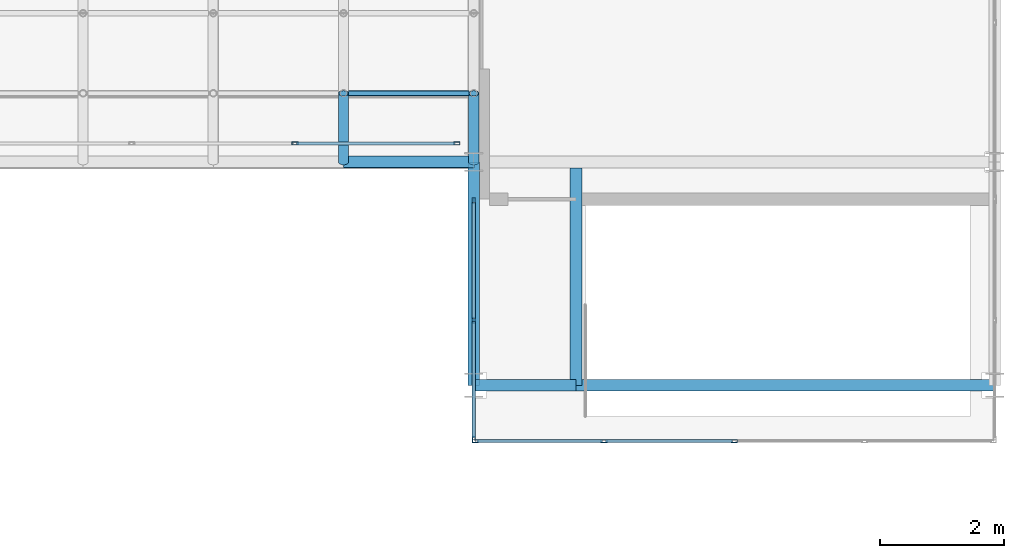
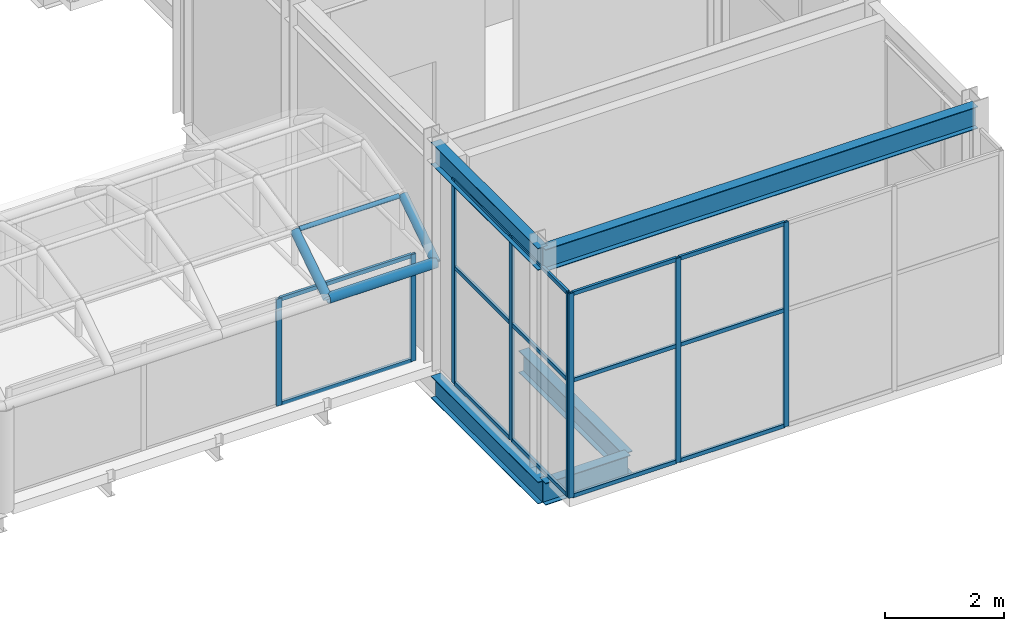
# One storey, part 43 of 167: 26 members, 5 beams, 3 elements without a shape of their own.
"""IFC4 building model written with IfcOpenShell, lengths in metres."""

import ifcopenshell
import ifcopenshell.guid

model = None  # the IFC model being written
_history = None  # IfcOwnerHistory: only IFC2X3 demands one
_inside = {}  # id of a spatial element -> (the spatial element, [elements in it])
_under = {}  # id of a project, library or spatial element -> (it, [spatial elements below it])
_declared = {}  # id of a project -> (the project, [libraries it declares])
_typed = {}  # id of a type object -> (the type object, [elements of that type])
_made_of = {}  # id of a material, layer set ... -> (it, [elements and type objects made of it])


def new_model(schema):
    """Start an empty IFC model of exactly this schema.

    Asked for "IFC4X3", IfcOpenShell would pick the latest addendum, in which some entities
    have other attributes; the version numbers below select the first issue.
    IFC2X3 requires an IfcOwnerHistory on every rooted entity: one is made here for all.
    """
    global model, _history
    if schema == "IFC4X3":
        model = ifcopenshell.file(schema_version=(4, 3, 0, 0))
    else:
        model = ifcopenshell.file(schema=schema)
    _inside.clear()
    _under.clear()
    _declared.clear()
    _typed.clear()
    _made_of.clear()
    _history = None
    if model.schema == "IFC2X3":
        org = make("IfcOrganization", Name="unknown")
        user = make(
            "IfcPersonAndOrganization",
            ThePerson=make("IfcPerson", FamilyName="unknown"),
            TheOrganization=org,
        )
        app = make(
            "IfcApplication",
            ApplicationDeveloper=org,
            Version="unknown",
            ApplicationFullName="unknown",
            ApplicationIdentifier="unknown",
        )
        _history = make(
            "IfcOwnerHistory",
            OwningUser=user,
            OwningApplication=app,
            ChangeAction="ADDED",
            CreationDate=0,
        )
    return model


def make(cls, **values):
    """One entity of the class cls with the attributes given. An attribute that is None is left unset."""
    return model.create_entity(
        cls, **{name: value for name, value in values.items() if value is not None}
    )


def rooted(cls, **values):
    """An entity with a GlobalId (a new one), such as an element, a storey or a relation."""
    return make(cls, GlobalId=ifcopenshell.guid.new(), OwnerHistory=_history, **values)


def si_unit(unit_type, name, prefix=None):
    """IfcSIUnit, for example si_unit("LENGTHUNIT", "METRE", prefix="MILLI")."""
    return make("IfcSIUnit", UnitType=unit_type, Prefix=prefix, Name=name)


def assignment(units):
    """IfcUnitAssignment: the units of a project."""
    return None if units is None else make("IfcUnitAssignment", Units=units)


def point(xyz):
    """IfcCartesianPoint."""
    return None if xyz is None else make("IfcCartesianPoint", Coordinates=xyz)


def direction(xyz):
    """IfcDirection."""
    return None if xyz is None else make("IfcDirection", DirectionRatios=xyz)


def frame(location, z_axis=None, x_axis=None):
    """IfcAxis2Placement3D, a coordinate frame: its origin and axes. An axis left out is left unset."""
    return make(
        "IfcAxis2Placement3D",
        Location=point(location),
        Axis=direction(z_axis),
        RefDirection=direction(x_axis),
    )


def frame_2d(location, x_axis=None):
    """IfcAxis2Placement2D, a coordinate frame in the plane: its origin and x axis."""
    return make(
        "IfcAxis2Placement2D", Location=point(location), RefDirection=direction(x_axis)
    )


def origin():
    """The frame at (0, 0, 0) with its axes left unset."""
    return frame((0.0, 0.0, 0.0))


def origin_2d():
    """The frame at (0, 0) in the plane with its x axis left unset."""
    return frame_2d((0.0, 0.0))


def place(relative_to, where):
    """IfcLocalPlacement: puts the frame where relative to a parent placement (None: the world)."""
    return make(
        "IfcLocalPlacement", PlacementRelTo=relative_to, RelativePlacement=where
    )


def context(
    kind, dimensions, precision=None, world=None, true_north=None, identifier=None
):
    """IfcGeometricRepresentationContext, for example the 3D "Model" context."""
    return make(
        "IfcGeometricRepresentationContext",
        ContextIdentifier=identifier,
        ContextType=kind,
        CoordinateSpaceDimension=dimensions,
        Precision=precision,
        WorldCoordinateSystem=world,
        TrueNorth=true_north,
    )


def subcontext(parent, identifier, kind, view, scale=None):
    """IfcGeometricRepresentationSubContext, for example "Body" below "Model"."""
    return make(
        "IfcGeometricRepresentationSubContext",
        ContextIdentifier=identifier,
        ContextType=kind,
        ParentContext=parent,
        TargetScale=scale,
        TargetView=view,
    )


def project(units=None, contexts=None):
    """IfcProject with its units and contexts."""
    return rooted(
        "IfcProject",
        Name="project",
        RepresentationContexts=contexts,
        UnitsInContext=assignment(units),
    )


def spatial(cls, under=None, at=None, **own):
    """A site, building, storey or space (cls), placed at a placement, below another one or the project."""
    s = rooted(cls, ObjectPlacement=at, **own)
    if under is not None:
        _under.setdefault(under.id(), (under, []))[1].append(s)
    return s


def profile(cls, at=None, kind="AREA", **sizes):
    """A parametric profile (cls). Its sizes go by their IFC names, for example OverallWidth=200.0."""
    return make(cls, ProfileType=kind, Position=at, **sizes)


def hollow_rectangle(**sizes):
    """IfcRectangleHollowProfileDef."""
    return profile("IfcRectangleHollowProfileDef", **sizes)


def hollow_circle(**sizes):
    """IfcCircleHollowProfileDef."""
    return profile("IfcCircleHollowProfileDef", **sizes)


def i_section(**sizes):
    """IfcIShapeProfileDef."""
    return profile("IfcIShapeProfileDef", **sizes)


def extrude(swept, where, along, depth):
    """IfcExtrudedAreaSolid: the profile swept, set in the frame where, extruded along a direction by depth."""
    return make(
        "IfcExtrudedAreaSolid",
        SweptArea=swept,
        Position=where,
        ExtrudedDirection=direction(along),
        Depth=depth,
    )


def shape(context_of_items, identifier, shape_type, items):
    """IfcShapeRepresentation: the items that make up one representation, for example the "Body"."""
    return make(
        "IfcShapeRepresentation",
        ContextOfItems=context_of_items,
        RepresentationIdentifier=identifier,
        RepresentationType=shape_type,
        Items=items,
    )


def material(Name=None, Category=None):
    """IfcMaterial."""
    return make("IfcMaterial", Name=Name, Category=Category)


def material_profile(
    of_material, cross_section, Name=None, Category=None, Priority=None
):
    """IfcMaterialProfile: a cross section and its material."""
    return make(
        "IfcMaterialProfile",
        Name=Name,
        Material=of_material,
        Profile=cross_section,
        Priority=Priority,
        Category=Category,
    )


def profile_set(profiles, Name=None, composite=None):
    """IfcMaterialProfileSet."""
    return make(
        "IfcMaterialProfileSet",
        Name=Name,
        MaterialProfiles=profiles,
        CompositeProfile=composite,
    )


def made_of(thing, what):
    """Note that an element or type object is made of a material, layer set ...; save() writes the relation."""
    if what is not None:
        _made_of.setdefault(what.id(), (what, []))[1].append(thing)
    return thing


def type_object(cls, material=None, **own):
    """A type object (cls), such as IfcWallType, which elements share."""
    return made_of(rooted(cls, **own), material)


def element(
    cls,
    number,
    at=None,
    inside=None,
    cuts=None,
    type_object=None,
    material=None,
    context=None,
    identifier="Body",
    shape_type=None,
    held_by="IfcProductDefinitionShape",
    body=None,
    shapes=None,
    **own,
):
    """One element of the class cls, such as IfcWall. Its Tag is "e" and its number.

    at: its placement. inside: the storey or other place that contains it. cuts: it is an
    opening in that element (IfcRelVoidsElement). A single representation is given by context,
    identifier, shape_type and body (its items); several are given by shapes. held_by: the class
    of the entity that holds the representations. save() writes the other relations.
    """
    e = rooted(cls, Tag="e%d" % number, ObjectPlacement=at, **own)
    if body is not None:
        shapes = [shape(context, identifier, shape_type, body)]
    if shapes is not None:
        e.Representation = make(held_by, Representations=shapes)
    if inside is not None:
        _inside.setdefault(inside.id(), (inside, []))[1].append(e)
    if cuts is not None:
        rooted(
            "IfcRelVoidsElement", RelatingBuildingElement=cuts, RelatedOpeningElement=e
        )
    if type_object is not None:
        _typed.setdefault(type_object.id(), (type_object, []))[1].append(e)
    return made_of(e, material)


def aggregate(whole, parts):
    """IfcRelAggregates: a whole, such as a stair, and the parts it consists of."""
    return rooted("IfcRelAggregates", RelatingObject=whole, RelatedObjects=parts)


def save(model, path):
    """Write the relations noted so far, then the file.

    IfcRelAggregates (storeys below a building ...), IfcRelContainedInSpatialStructure (elements
    in a storey), IfcRelDefinesByType, IfcRelAssociatesMaterial and IfcRelDeclares: one each for
    every whole, place, type object, material and project.
    """
    for whole, parts in _under.values():
        aggregate(whole, parts)
    for where, things in _inside.values():
        rooted(
            "IfcRelContainedInSpatialStructure",
            RelatedElements=things,
            RelatingStructure=where,
        )
    for kind, things in _typed.values():
        rooted("IfcRelDefinesByType", RelatedObjects=things, RelatingType=kind)
    for what, things in _made_of.values():
        rooted("IfcRelAssociatesMaterial", RelatedObjects=things, RelatingMaterial=what)
    for by, libraries in _declared.values():
        rooted("IfcRelDeclares", RelatingContext=by, RelatedDefinitions=libraries)
    model.write(path)


model = new_model("IFC4")

# Units and contexts
model_context = context("Model", 3, precision=1e-05, world=origin(), true_north=direction((0.0, 1.0)))
body_context = subcontext(model_context, "Body", "Model", "MODEL_VIEW")
ifc_project = project(units=[si_unit("LENGTHUNIT", "METRE"), si_unit("AREAUNIT", "SQUARE_METRE"), si_unit("VOLUMEUNIT", "CUBIC_METRE"), si_unit("PLANEANGLEUNIT", "RADIAN"), si_unit("MASSUNIT", "GRAM", prefix="KILO")], contexts=[model_context])

# Site, building, storey
site_placement = place(None, origin())
site = spatial("IfcSite", under=ifc_project, at=site_placement, CompositionType="ELEMENT")
building_placement = place(site_placement, origin())
building = spatial("IfcBuilding", under=site, at=building_placement, Name="Catenary Quay Ferry Terminal", CompositionType="ELEMENT")
storey_placement = place(building_placement, frame((0.0, 0.0, 6.0)))
storey = spatial("IfcBuildingStorey", under=building, at=storey_placement, Name="L01", CompositionType="ELEMENT", Elevation=6.0)

# Beams
ifc_material_1 = material(Name="Steel S355", Category="steel")
ifc_material_profile_1 = material_profile(ifc_material_1, i_section(OverallWidth=0.18994140625, OverallDepth=0.453369140625, WebThickness=0.008544921875, FlangeThickness=0.0126953125, at=origin_2d()), Name="UB 457x191x67")
ifc_profile_set_1 = profile_set([ifc_material_profile_1], Name="Steel S355")
beam_type = type_object("IfcBeamType", Name="B1 UB 457x191x67", PredefinedType="BEAM", material=ifc_profile_set_1)
beam_1_placement = place(storey_placement, frame((126.0, 69.60009765625, 4.373046875), z_axis=(1.0, 0.0, 0.0), x_axis=(0.0, 1.0, 0.0)))
element("IfcBeam", 1, at=beam_1_placement, inside=storey, type_object=beam_type, Name="Beam B1-033", PredefinedType="BEAM", context=body_context, shape_type="SweptSolid", body=[
    extrude(i_section(OverallWidth=0.18994140625, OverallDepth=0.453369140625, WebThickness=0.008544921875, FlangeThickness=0.0126953125, at=origin_2d()), origin(), (0.0, 0.0, 1.0), 8.39990234375),
])
beam_2_placement = place(storey_placement, frame((126.0, 69.60009765625, 4.373046875), z_axis=(0.0, 1.0, 0.0), x_axis=(-1.0, 0.0, 0.0)))
element("IfcBeam", 2, at=beam_2_placement, inside=storey, type_object=beam_type, Name="Beam B1-037", PredefinedType="BEAM", context=body_context, shape_type="SweptSolid", body=[
    extrude(i_section(OverallWidth=0.18994140625, OverallDepth=0.453369140625, WebThickness=0.008544921875, FlangeThickness=0.0126953125, at=origin_2d()), origin(), (0.0, 0.0, 1.0), 3.599853515625),
])
beam_3_placement = place(storey_placement, frame((126.0, 69.60009765625, -0.427001953125), z_axis=(1.0, 0.0, 0.0), x_axis=(0.0, 1.0, 0.0)))
element("IfcBeam", 3, at=beam_3_placement, inside=storey, type_object=beam_type, Name="Beam B1-062", PredefinedType="BEAM", context=body_context, shape_type="SweptSolid", body=[
    extrude(i_section(OverallWidth=0.18994140625, OverallDepth=0.453369140625, WebThickness=0.008544921875, FlangeThickness=0.0126953125, at=origin_2d()), origin(), (0.0, 0.0, 1.0), 1.64990234375),
])
beam_4_placement = place(storey_placement, frame((126.0, 69.60009765625, -0.427001953125), z_axis=(0.0, 1.0, 0.0), x_axis=(-1.0, 0.0, 0.0)))
element("IfcBeam", 4, at=beam_4_placement, inside=storey, type_object=beam_type, Name="Beam B1-066", PredefinedType="BEAM", context=body_context, shape_type="SweptSolid", body=[
    extrude(i_section(OverallWidth=0.18994140625, OverallDepth=0.453369140625, WebThickness=0.008544921875, FlangeThickness=0.0126953125, at=origin_2d()), origin(), (0.0, 0.0, 1.0), 3.599853515625),
])
beam_5_placement = place(storey_placement, frame((127.64990234375, 69.60009765625, -0.427001953125), z_axis=(0.0, 1.0, 0.0), x_axis=(-1.0, 0.0, 0.0)))
element("IfcBeam", 5, at=beam_5_placement, inside=storey, type_object=beam_type, Name="Beam B1-102", PredefinedType="BEAM", context=body_context, shape_type="SweptSolid", body=[
    extrude(i_section(OverallWidth=0.18994140625, OverallDepth=0.453369140625, WebThickness=0.008544921875, FlangeThickness=0.0126953125, at=origin_2d()), origin(), (0.0, 0.0, 1.0), 3.5048828125),
])

# Curtain wall, members
ifc_material_2 = material(Name="Aluminium and glass", Category="aluminium")
curtain_wall_type_1 = type_object("IfcCurtainWallType", Name="CWB", PredefinedType="NOTDEFINED", material=ifc_material_2)
curtain_wall_1_placement = place(storey_placement, origin())
curtain_wall_1 = element("IfcCurtainWall", 6, at=curtain_wall_1_placement, inside=storey, type_object=curtain_wall_type_1, Name="BB1 curtain wall CW59", PredefinedType="NOTDEFINED")
ifc_material_3 = material(Name="Aluminium", Category="aluminium")
ifc_material_profile_2 = material_profile(ifc_material_3, hollow_rectangle(XDim=0.050048828125, YDim=0.10009765625, WallThickness=0.0048828125, at=origin_2d()), Name="MU1")
ifc_profile_set_2 = profile_set([ifc_material_profile_2], Name="Aluminium")
member_type_1 = type_object("IfcMemberType", Name="MU1", PredefinedType="MULLION", material=ifc_profile_set_2)
member_1_placement = place(storey_placement, frame((123.11669921875, 73.5, 0.0), z_axis=(0.0, 0.0, 1.0), x_axis=(0.0, 1.0, 0.0)))
member_1 = element("IfcMember", 7, at=member_1_placement, type_object=member_type_1, Name="CW59 mullion 3", PredefinedType="MULLION", context=body_context, shape_type="SweptSolid", body=[
    extrude(hollow_rectangle(XDim=0.050048828125, YDim=0.10009765625, WallThickness=0.0048828125, at=origin_2d()), origin(), (0.0, 0.0, 1.0), 2.195068359375),
])
member_2_placement = place(storey_placement, frame((125.72509765625, 73.5, 0.0), z_axis=(0.0, 0.0, 1.0), x_axis=(0.0, 1.0, 0.0)))
member_2 = element("IfcMember", 8, at=member_2_placement, type_object=member_type_1, Name="CW59 mullion 4", PredefinedType="MULLION", context=body_context, shape_type="SweptSolid", body=[
    extrude(hollow_rectangle(XDim=0.050048828125, YDim=0.10009765625, WallThickness=0.0048828125, at=origin_2d()), origin(), (0.0, 0.0, 1.0), 2.195068359375),
])

ifc_material_4 = material(Name="Aluminium and glass", Category="aluminium")
curtain_wall_type_2 = type_object("IfcCurtainWallType", Name="CWK", PredefinedType="NOTDEFINED", material=ifc_material_4)
curtain_wall_2_placement = place(storey_placement, origin())
curtain_wall_2 = element("IfcCurtainWall", 9, at=curtain_wall_2_placement, inside=storey, type_object=curtain_wall_type_2, Name="Head berth 1 stair curtain wall CW80", PredefinedType="NOTDEFINED")
member_3_placement = place(storey_placement, frame((126.02490234375, 68.699951171875, 0.0), z_axis=(0.0, 0.0, 1.0), x_axis=(0.0, 1.0, 0.0)))
member_3 = element("IfcMember", 10, at=member_3_placement, type_object=member_type_1, Name="CW80 mullion 1", PredefinedType="MULLION", context=body_context, shape_type="SweptSolid", body=[
    extrude(hollow_rectangle(XDim=0.050048828125, YDim=0.10009765625, WallThickness=0.0048828125, at=origin_2d()), origin(), (0.0, 0.0, 1.0), 4.199951171875),
])
member_4_placement = place(storey_placement, frame((128.10009765625, 68.699951171875, 0.0), z_axis=(0.0, 0.0, 1.0), x_axis=(0.0, 1.0, 0.0)))
member_4 = element("IfcMember", 11, at=member_4_placement, type_object=member_type_1, Name="CW80 mullion 2", PredefinedType="MULLION", context=body_context, shape_type="SweptSolid", body=[
    extrude(hollow_rectangle(XDim=0.050048828125, YDim=0.10009765625, WallThickness=0.0048828125, at=origin_2d()), origin(), (0.0, 0.0, 1.0), 4.199951171875),
])
member_5_placement = place(storey_placement, frame((130.199951171875, 68.699951171875, 0.0), z_axis=(0.0, 0.0, 1.0), x_axis=(0.0, 1.0, 0.0)))
member_5 = element("IfcMember", 12, at=member_5_placement, type_object=member_type_1, Name="CW80 mullion 3", PredefinedType="MULLION", context=body_context, shape_type="SweptSolid", body=[
    extrude(hollow_rectangle(XDim=0.050048828125, YDim=0.10009765625, WallThickness=0.0048828125, at=origin_2d()), origin(), (0.0, 0.0, 1.0), 4.199951171875),
])

curtain_wall_3_placement = place(storey_placement, origin())
curtain_wall_3 = element("IfcCurtainWall", 13, at=curtain_wall_3_placement, inside=storey, type_object=curtain_wall_type_2, Name="Head berth 1 stair curtain wall CW82", PredefinedType="NOTDEFINED")
member_6_placement = place(storey_placement, frame((126.0, 68.72509765625, 0.0), z_axis=(0.0, 0.0, 1.0), x_axis=(-1.0, 0.0, 0.0)))
member_6 = element("IfcMember", 14, at=member_6_placement, type_object=member_type_1, Name="CW82 mullion 1", PredefinedType="MULLION", context=body_context, shape_type="SweptSolid", body=[
    extrude(hollow_rectangle(XDim=0.050048828125, YDim=0.10009765625, WallThickness=0.0048828125, at=origin_2d()), origin(), (0.0, 0.0, 1.0), 4.199951171875),
])
member_7_placement = place(storey_placement, frame((126.0, 70.64990234375, 0.0), z_axis=(0.0, 0.0, 1.0), x_axis=(-1.0, 0.0, 0.0)))
member_7 = element("IfcMember", 15, at=member_7_placement, type_object=member_type_1, Name="CW82 mullion 2", PredefinedType="MULLION", context=body_context, shape_type="SweptSolid", body=[
    extrude(hollow_rectangle(XDim=0.050048828125, YDim=0.10009765625, WallThickness=0.0048828125, at=origin_2d()), origin(), (0.0, 0.0, 1.0), 4.199951171875),
])
member_8_placement = place(storey_placement, frame((126.0, 72.574951171875, 0.0), z_axis=(0.0, 0.0, 1.0), x_axis=(-1.0, 0.0, 0.0)))
member_8 = element("IfcMember", 16, at=member_8_placement, type_object=member_type_1, Name="CW82 mullion 3", PredefinedType="MULLION", context=body_context, shape_type="SweptSolid", body=[
    extrude(hollow_rectangle(XDim=0.050048828125, YDim=0.10009765625, WallThickness=0.0048828125, at=origin_2d()), origin(), (0.0, 0.0, 1.0), 4.199951171875),
])

# Members
ifc_material_5 = material(Name="Steel S355", Category="steel")
ifc_material_profile_3 = material_profile(ifc_material_5, hollow_circle(Radius=0.04443359375, WallThickness=0.0048828125, at=origin_2d()), Name="CHS 88.9x5")
ifc_profile_set_3 = profile_set([ifc_material_profile_3], Name="Steel S355")
member_type_2 = type_object("IfcMemberType", Name="PU3 CHS 88.9x5", PredefinedType="PURLIN", material=ifc_profile_set_3)
member_9_placement = place(storey_placement, frame((123.97998046875, 74.30810546875, 2.821044921875), z_axis=(1.0, 0.0, 0.0), x_axis=(0.0, 1.0, 0.0)))
element("IfcMember", 17, at=member_9_placement, inside=storey, type_object=member_type_2, Name="Purlin PU-RB1-16-01", PredefinedType="PURLIN", context=body_context, shape_type="SweptSolid", body=[
    extrude(hollow_circle(Radius=0.04443359375, WallThickness=0.0048828125, at=origin_2d()), origin(), (0.0, 0.0, 1.0), 1.93994140625),
])
ifc_material_6 = material(Name="Steel S355", Category="steel")
ifc_material_profile_4 = material_profile(ifc_material_6, hollow_circle(Radius=0.096923828125, WallThickness=0.010009765625, at=origin_2d()), Name="CHS 193.7x10")
ifc_profile_set_4 = profile_set([ifc_material_profile_4], Name="Steel S355")
member_type_3 = type_object("IfcMemberType", Name="TC2 CHS 193.7x10", PredefinedType="CHORD", material=ifc_profile_set_4)
member_10_placement = place(storey_placement, frame((123.89990234375, 73.199951171875, 2.10009765625), z_axis=(1.0, 0.0, 0.0), x_axis=(0.0, 1.0, 0.0)))
element("IfcMember", 18, at=member_10_placement, inside=storey, type_object=member_type_3, Name="Bridge top chord BB1S-TC16", PredefinedType="CHORD", context=body_context, shape_type="SweptSolid", body=[
    extrude(hollow_circle(Radius=0.096923828125, WallThickness=0.010009765625, at=origin_2d()), origin(), (0.0, 0.0, 1.0), 2.10009765625),
])

# Member
ifc_material_7 = material(Name="Aluminium", Category="aluminium")
ifc_material_profile_5 = material_profile(ifc_material_7, hollow_rectangle(XDim=0.050048828125, YDim=0.080078125, WallThickness=0.00390625, at=origin_2d()), Name="TR1")
ifc_profile_set_5 = profile_set([ifc_material_profile_5], Name="Aluminium")
member_type_4 = type_object("IfcMemberType", Name="TR1", PredefinedType="USERDEFINED", material=ifc_profile_set_5)
member_11_placement = place(storey_placement, frame((123.1416015625, 73.5, 0.02490234375), z_axis=(1.0, 0.0, 0.0), x_axis=(0.0, 1.0, 0.0)))
member_11 = element("IfcMember", 19, at=member_11_placement, type_object=member_type_4, Name="CW59 transom 3.1", ObjectType="TRANSOM", PredefinedType="USERDEFINED", context=body_context, shape_type="SweptSolid", body=[
    extrude(hollow_rectangle(XDim=0.050048828125, YDim=0.080078125, WallThickness=0.00390625, at=origin_2d()), origin(), (0.0, 0.0, 1.0), 2.558349609375),
])

member_12_placement = place(storey_placement, frame((123.1416015625, 73.5, 2.169921875), z_axis=(1.0, 0.0, 0.0), x_axis=(0.0, 1.0, 0.0)))
member_12 = element("IfcMember", 20, at=member_12_placement, type_object=member_type_4, Name="CW59 transom 3.2", ObjectType="TRANSOM", PredefinedType="USERDEFINED", context=body_context, shape_type="SweptSolid", body=[
    extrude(hollow_rectangle(XDim=0.050048828125, YDim=0.080078125, WallThickness=0.00390625, at=origin_2d()), origin(), (0.0, 0.0, 1.0), 2.558349609375),
])

aggregate(curtain_wall_1, [member_1, member_2, member_11, member_12])

member_13_placement = place(storey_placement, frame((126.050048828125, 68.699951171875, 0.02490234375), z_axis=(1.0, 0.0, 0.0), x_axis=(0.0, 1.0, 0.0)))
member_13 = element("IfcMember", 21, at=member_13_placement, type_object=member_type_4, Name="CW80 transom 1.1", ObjectType="TRANSOM", PredefinedType="USERDEFINED", context=body_context, shape_type="SweptSolid", body=[
    extrude(hollow_rectangle(XDim=0.050048828125, YDim=0.080078125, WallThickness=0.00390625, at=origin_2d()), origin(), (0.0, 0.0, 1.0), 2.02490234375),
])

member_14_placement = place(storey_placement, frame((126.050048828125, 68.699951171875, 2.39990234375), z_axis=(1.0, 0.0, 0.0), x_axis=(0.0, 1.0, 0.0)))
member_14 = element("IfcMember", 22, at=member_14_placement, type_object=member_type_4, Name="CW80 transom 1.2", ObjectType="TRANSOM", PredefinedType="USERDEFINED", context=body_context, shape_type="SweptSolid", body=[
    extrude(hollow_rectangle(XDim=0.050048828125, YDim=0.080078125, WallThickness=0.00390625, at=origin_2d()), origin(), (0.0, 0.0, 1.0), 2.02490234375),
])

member_15_placement = place(storey_placement, frame((126.050048828125, 68.699951171875, 4.175048828125), z_axis=(1.0, 0.0, 0.0), x_axis=(0.0, 1.0, 0.0)))
member_15 = element("IfcMember", 23, at=member_15_placement, type_object=member_type_4, Name="CW80 transom 1.3", ObjectType="TRANSOM", PredefinedType="USERDEFINED", context=body_context, shape_type="SweptSolid", body=[
    extrude(hollow_rectangle(XDim=0.050048828125, YDim=0.080078125, WallThickness=0.00390625, at=origin_2d()), origin(), (0.0, 0.0, 1.0), 2.02490234375),
])

member_16_placement = place(storey_placement, frame((128.125, 68.699951171875, 0.02490234375), z_axis=(1.0, 0.0, 0.0), x_axis=(0.0, 1.0, 0.0)))
member_16 = element("IfcMember", 24, at=member_16_placement, type_object=member_type_4, Name="CW80 transom 2.1", ObjectType="TRANSOM", PredefinedType="USERDEFINED", context=body_context, shape_type="SweptSolid", body=[
    extrude(hollow_rectangle(XDim=0.050048828125, YDim=0.080078125, WallThickness=0.00390625, at=origin_2d()), origin(), (0.0, 0.0, 1.0), 2.050048828125),
])

member_17_placement = place(storey_placement, frame((128.125, 68.699951171875, 2.39990234375), z_axis=(1.0, 0.0, 0.0), x_axis=(0.0, 1.0, 0.0)))
member_17 = element("IfcMember", 25, at=member_17_placement, type_object=member_type_4, Name="CW80 transom 2.2", ObjectType="TRANSOM", PredefinedType="USERDEFINED", context=body_context, shape_type="SweptSolid", body=[
    extrude(hollow_rectangle(XDim=0.050048828125, YDim=0.080078125, WallThickness=0.00390625, at=origin_2d()), origin(), (0.0, 0.0, 1.0), 2.050048828125),
])

member_18_placement = place(storey_placement, frame((128.125, 68.699951171875, 4.175048828125), z_axis=(1.0, 0.0, 0.0), x_axis=(0.0, 1.0, 0.0)))
member_18 = element("IfcMember", 26, at=member_18_placement, type_object=member_type_4, Name="CW80 transom 2.3", ObjectType="TRANSOM", PredefinedType="USERDEFINED", context=body_context, shape_type="SweptSolid", body=[
    extrude(hollow_rectangle(XDim=0.050048828125, YDim=0.080078125, WallThickness=0.00390625, at=origin_2d()), origin(), (0.0, 0.0, 1.0), 2.050048828125),
])

aggregate(curtain_wall_2, [member_3, member_4, member_5, member_13, member_14, member_15, member_16, member_17, member_18])

member_19_placement = place(storey_placement, frame((126.0, 68.75, 0.02490234375), z_axis=(0.0, 1.0, 0.0), x_axis=(-1.0, 0.0, 0.0)))
member_19 = element("IfcMember", 27, at=member_19_placement, type_object=member_type_4, Name="CW82 transom 1.1", ObjectType="TRANSOM", PredefinedType="USERDEFINED", context=body_context, shape_type="SweptSolid", body=[
    extrude(hollow_rectangle(XDim=0.050048828125, YDim=0.080078125, WallThickness=0.00390625, at=origin_2d()), origin(), (0.0, 0.0, 1.0), 1.875),
])

member_20_placement = place(storey_placement, frame((126.0, 68.75, 2.39990234375), z_axis=(0.0, 1.0, 0.0), x_axis=(-1.0, 0.0, 0.0)))
member_20 = element("IfcMember", 28, at=member_20_placement, type_object=member_type_4, Name="CW82 transom 1.2", ObjectType="TRANSOM", PredefinedType="USERDEFINED", context=body_context, shape_type="SweptSolid", body=[
    extrude(hollow_rectangle(XDim=0.050048828125, YDim=0.080078125, WallThickness=0.00390625, at=origin_2d()), origin(), (0.0, 0.0, 1.0), 1.875),
])

member_21_placement = place(storey_placement, frame((126.0, 68.75, 4.175048828125), z_axis=(0.0, 1.0, 0.0), x_axis=(-1.0, 0.0, 0.0)))
member_21 = element("IfcMember", 29, at=member_21_placement, type_object=member_type_4, Name="CW82 transom 1.3", ObjectType="TRANSOM", PredefinedType="USERDEFINED", context=body_context, shape_type="SweptSolid", body=[
    extrude(hollow_rectangle(XDim=0.050048828125, YDim=0.080078125, WallThickness=0.00390625, at=origin_2d()), origin(), (0.0, 0.0, 1.0), 1.875),
])

member_22_placement = place(storey_placement, frame((126.0, 70.675048828125, 0.02490234375), z_axis=(0.0, 1.0, 0.0), x_axis=(-1.0, 0.0, 0.0)))
member_22 = element("IfcMember", 30, at=member_22_placement, type_object=member_type_4, Name="CW82 transom 2.1", ObjectType="TRANSOM", PredefinedType="USERDEFINED", context=body_context, shape_type="SweptSolid", body=[
    extrude(hollow_rectangle(XDim=0.050048828125, YDim=0.080078125, WallThickness=0.00390625, at=origin_2d()), origin(), (0.0, 0.0, 1.0), 1.875),
])

member_23_placement = place(storey_placement, frame((126.0, 70.675048828125, 2.39990234375), z_axis=(0.0, 1.0, 0.0), x_axis=(-1.0, 0.0, 0.0)))
member_23 = element("IfcMember", 31, at=member_23_placement, type_object=member_type_4, Name="CW82 transom 2.2", ObjectType="TRANSOM", PredefinedType="USERDEFINED", context=body_context, shape_type="SweptSolid", body=[
    extrude(hollow_rectangle(XDim=0.050048828125, YDim=0.080078125, WallThickness=0.00390625, at=origin_2d()), origin(), (0.0, 0.0, 1.0), 1.875),
])

member_24_placement = place(storey_placement, frame((126.0, 70.675048828125, 4.175048828125), z_axis=(0.0, 1.0, 0.0), x_axis=(-1.0, 0.0, 0.0)))
member_24 = element("IfcMember", 32, at=member_24_placement, type_object=member_type_4, Name="CW82 transom 2.3", ObjectType="TRANSOM", PredefinedType="USERDEFINED", context=body_context, shape_type="SweptSolid", body=[
    extrude(hollow_rectangle(XDim=0.050048828125, YDim=0.080078125, WallThickness=0.00390625, at=origin_2d()), origin(), (0.0, 0.0, 1.0), 1.875),
])

aggregate(curtain_wall_3, [member_6, member_7, member_8, member_19, member_20, member_21, member_22, member_23, member_24])

# Members
ifc_material_8 = material(Name="Steel S355", Category="steel")
ifc_material_profile_6 = material_profile(ifc_material_8, hollow_circle(Radius=0.084228515625, WallThickness=0.008056640625, at=origin_2d()), Name="CHS 168.3x8")
ifc_profile_set_6 = profile_set([ifc_material_profile_6], Name="Steel S355")
member_type_5 = type_object("IfcMemberType", Name="VR4 CHS 168.3x8", PredefinedType="RAFTER", material=ifc_profile_set_6)
for number, where, z_axis, x_axis, name in (
    (33, (123.89990234375, 73.199951171875, 2.10009765625), (0.0, 0.838219928753, 0.545332330823), (-1.0, 0.0, 0.0), "rib RB1-16-01"),
    (34, (126.0, 73.199951171875, 2.10009765625), (0.0, 0.838219928753, 0.545332330823), (-1.0, 0.0, 0.0), "rib RB1-17-01"),
):
    element("IfcMember", number, at=place(storey_placement, frame(where, z_axis=z_axis, x_axis=x_axis)), inside=storey, type_object=member_type_5, Name=name, PredefinedType="RAFTER", context=body_context, shape_type="SweptSolid", body=[
        extrude(hollow_circle(Radius=0.084228515625, WallThickness=0.008056640625, at=origin_2d()), origin(), (0.0, 0.0, 1.0), 1.322021484375),
    ])

save(model, "model.ifc")
